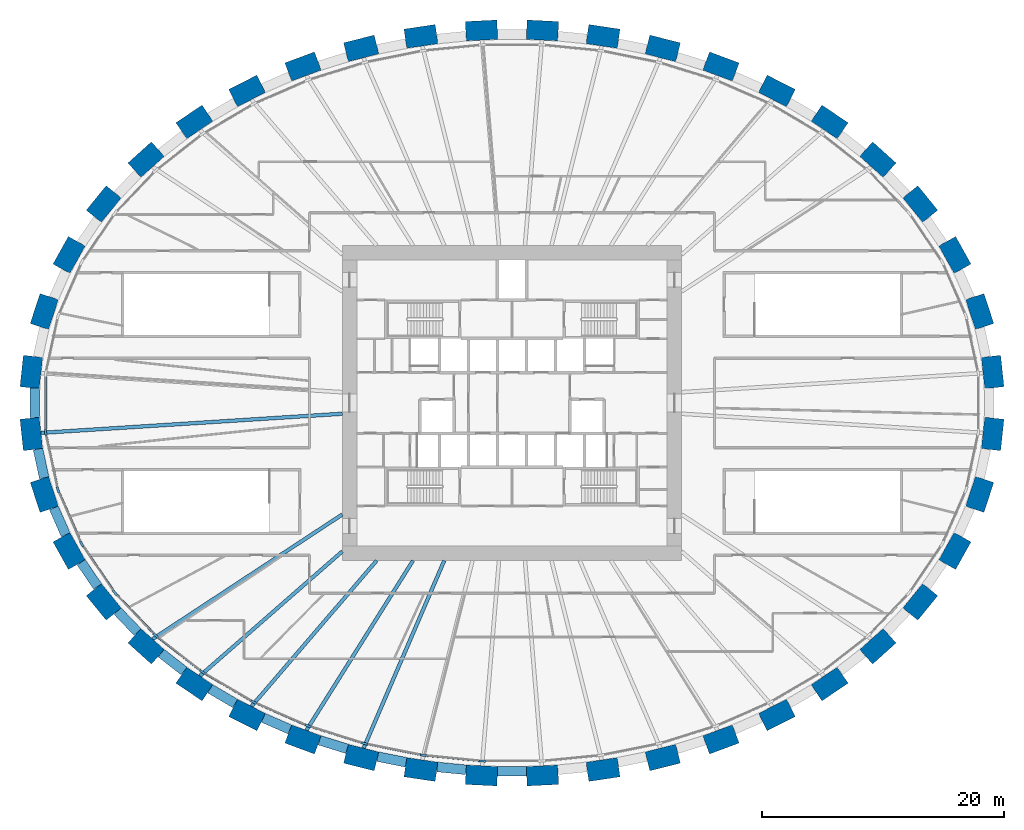
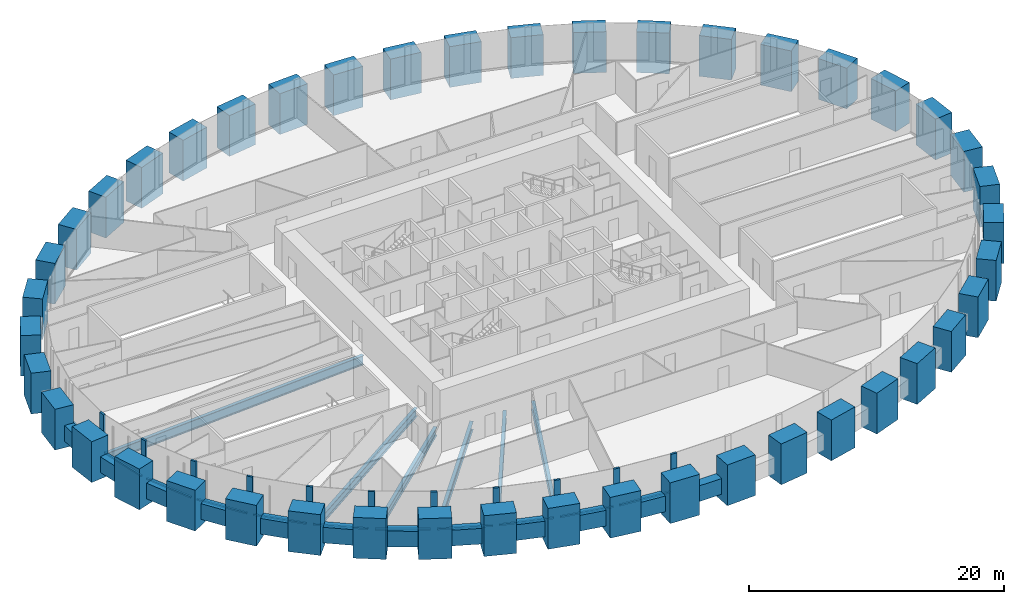
# One storey, part 1 of 12: 44 columns, 22 members, 18 beams, 1 element without a shape of its own.
"""IFC4 building model written with IfcOpenShell, lengths in metres."""

from ifc_helpers import new_model, si_unit, direction, frame, origin, origin_2d, place, context, subcontext, project, spatial, rectangle, i_section, extrude, source, transform, mapped, material, material_profile, profile_set, type_object, element, aggregate, save


model = new_model("IFC4")

# Units and contexts
model_context = context("Model", 3, precision=1e-05, world=origin(), true_north=direction((0.0, 1.0)))
body_context = subcontext(model_context, "Body", "Model", "MODEL_VIEW")
ifc_project = project(units=[si_unit("LENGTHUNIT", "METRE"), si_unit("AREAUNIT", "SQUARE_METRE"), si_unit("VOLUMEUNIT", "CUBIC_METRE"), si_unit("PLANEANGLEUNIT", "RADIAN"), si_unit("MASSUNIT", "GRAM", prefix="KILO")], contexts=[model_context])

# Site, building, storey
site_placement = place(None, origin())
site = spatial("IfcSite", under=ifc_project, at=site_placement, CompositionType="ELEMENT")
building_placement = place(site_placement, origin())
building = spatial("IfcBuilding", under=site, at=building_placement, Name="Embergate Tower", CompositionType="ELEMENT")
storey_placement = place(building_placement, frame((0.0, 0.0, 38.0)))
storey = spatial("IfcBuildingStorey", under=building, at=storey_placement, Name="L05", CompositionType="ELEMENT", Elevation=38.0)

# Columns
ifc_material_1 = material(Name="Concrete C70", Category="concrete")
ifc_material_profile_1 = material_profile(ifc_material_1, rectangle(XDim=1.60009765625, YDim=2.60009765625, at=origin_2d()), Name="RC 1600x2600")
ifc_profile_set_1 = profile_set([ifc_material_profile_1], Name="Concrete C70")
column_type = type_object("IfcColumnType", Name="Ring column RC 1600x2600 C70", PredefinedType="COLUMN", material=ifc_profile_set_1)
shared_shape_1 = source(origin(), body_context, "Body", "SweptSolid", [
    extrude(rectangle(XDim=1.60009765625, YDim=2.60009765625, at=origin_2d()), origin(), (0.0, 0.0, 1.0), 3.89990234375),
])
for number, where, z_axis, x_axis, name in (
    (1, (39.653076171875, 2.553955078125, -1.39990234375), (0.0, 0.0, 1.0), (0.99428589498, 0.106749983816, 0.0), "COL-L05-00"),
    (2, (38.580078125, 7.54296875, -1.39990234375), (0.0, 0.0, 1.0), (0.950754033697, 0.309946394413, 0.0), "COL-L05-01"),
    (3, (36.533935546875, 12.20703125, -1.39990234375), (0.0, 0.0, 1.0), (0.873491969053, 0.486838556403, 0.0), "COL-L05-02"),
    (4, (33.677978515625, 16.407958984375, -1.39990234375), (0.0, 0.0, 1.0), (0.775914301615, 0.630838328377, 0.0), "COL-L05-03"),
    (5, (30.18310546875, 20.072998046875, -1.39990234375), (0.0, 0.0, 1.0), (0.669208424634, 0.74307475021, 0.0), "COL-L05-04"),
    (6, (26.199951171875, 23.181884765625, -1.39990234375), (0.0, 0.0, 1.0), (0.560393279442, 0.828226643109, 0.0), "COL-L05-05"),
    (7, (21.85302734375, 25.738037109375, -1.39990234375), (0.0, 0.0, 1.0), (0.452994952881, 0.891513080478, 0.0), "COL-L05-06"),
    (8, (17.239013671875, 27.756103515625, -1.39990234375), (0.0, 0.0, 1.0), (0.348343015724, 0.93736713373, 0.0), "COL-L05-07"),
    (9, (12.43798828125, 29.2509765625, -1.39990234375), (0.0, 0.0, 1.0), (0.246491603437, 0.969144926951, 0.0), "COL-L05-08"),
    (10, (7.510009765625, 30.239013671875, -1.39990234375), (0.0, 0.0, 1.0), (0.146929011949, 0.989147039346, 0.0), "COL-L05-09"),
    (11, (2.510986328125, 30.73095703125, -1.39990234375), (0.0, 0.0, 1.0), (0.048814904854, 0.998807841912, 0.0), "COL-L05-10"),
    (12, (-2.510986328125, 30.73095703125, -1.39990234375), (0.0, 0.0, 1.0), (-0.048814904854, 0.998807841912, 0.0), "COL-L05-11"),
    (13, (-7.510009765625, 30.239013671875, -1.39990234375), (0.0, 0.0, 1.0), (-0.146929011949, 0.989147039346, 0.0), "COL-L05-12"),
    (14, (-12.43798828125, 29.2509765625, -1.39990234375), (0.0, 0.0, 1.0), (-0.246491603437, 0.969144926951, 0.0), "COL-L05-13"),
    (15, (-17.239013671875, 27.756103515625, -1.39990234375), (0.0, 0.0, 1.0), (-0.348343015724, 0.93736713373, 0.0), "COL-L05-14"),
    (16, (-21.85302734375, 25.738037109375, -1.39990234375), (0.0, 0.0, 1.0), (-0.452994952881, 0.891513080478, 0.0), "COL-L05-15"),
    (17, (-26.199951171875, 23.181884765625, -1.39990234375), (0.0, 0.0, 1.0), (-0.560393279442, 0.828226643109, 0.0), "COL-L05-16"),
    (18, (-30.18310546875, 20.072998046875, -1.39990234375), (0.0, 0.0, 1.0), (-0.669208424634, 0.74307475021, 0.0), "COL-L05-17"),
    (19, (-33.677978515625, 16.407958984375, -1.39990234375), (0.0, 0.0, 1.0), (-0.775914301615, 0.630838328377, 0.0), "COL-L05-18"),
    (20, (-36.533935546875, 12.20703125, -1.39990234375), (0.0, 0.0, 1.0), (-0.873491969053, 0.486838556403, 0.0), "COL-L05-19"),
    (21, (-38.580078125, 7.54296875, -1.39990234375), (0.0, 0.0, 1.0), (-0.950754033697, 0.309946394413, 0.0), "COL-L05-20"),
    (22, (-39.653076171875, 2.553955078125, -1.39990234375), (0.0, 0.0, 1.0), (-0.99428589498, 0.106749983816, 0.0), "COL-L05-21"),
    (23, (-39.653076171875, -2.553955078125, -1.39990234375), (0.0, 0.0, 1.0), (-0.99428589498, -0.106749983816, 0.0), "COL-L05-22"),
    (24, (-38.580078125, -7.54296875, -1.39990234375), (0.0, 0.0, 1.0), (-0.950754033697, -0.309946394413, 0.0), "COL-L05-23"),
    (25, (-36.533935546875, -12.20703125, -1.39990234375), (0.0, 0.0, 1.0), (-0.873491969053, -0.486838556403, 0.0), "COL-L05-24"),
    (26, (-33.677978515625, -16.407958984375, -1.39990234375), (0.0, 0.0, 1.0), (-0.775914301615, -0.630838328377, 0.0), "COL-L05-25"),
    (27, (-30.18310546875, -20.072998046875, -1.39990234375), (0.0, 0.0, 1.0), (-0.669208424634, -0.74307475021, 0.0), "COL-L05-26"),
    (28, (-26.199951171875, -23.181884765625, -1.39990234375), (0.0, 0.0, 1.0), (-0.560393279442, -0.828226643109, 0.0), "COL-L05-27"),
    (29, (-21.85302734375, -25.738037109375, -1.39990234375), (0.0, 0.0, 1.0), (-0.452994952881, -0.891513080478, 0.0), "COL-L05-28"),
    (30, (-17.239013671875, -27.756103515625, -1.39990234375), (0.0, 0.0, 1.0), (-0.348343015724, -0.93736713373, 0.0), "COL-L05-29"),
    (31, (-12.43798828125, -29.2509765625, -1.39990234375), (0.0, 0.0, 1.0), (-0.246491603437, -0.969144926951, 0.0), "COL-L05-30"),
    (32, (-7.510009765625, -30.239013671875, -1.39990234375), (0.0, 0.0, 1.0), (-0.146929011949, -0.989147039346, 0.0), "COL-L05-31"),
    (33, (-2.510986328125, -30.73095703125, -1.39990234375), (0.0, 0.0, 1.0), (-0.048814904854, -0.998807841912, 0.0), "COL-L05-32"),
    (34, (2.510986328125, -30.73095703125, -1.39990234375), (0.0, 0.0, 1.0), (0.048814904854, -0.998807841912, 0.0), "COL-L05-33"),
    (35, (7.510009765625, -30.239013671875, -1.39990234375), (0.0, 0.0, 1.0), (0.146929011949, -0.989147039346, 0.0), "COL-L05-34"),
    (36, (12.43798828125, -29.2509765625, -1.39990234375), (0.0, 0.0, 1.0), (0.246491603437, -0.969144926951, 0.0), "COL-L05-35"),
    (37, (17.239013671875, -27.756103515625, -1.39990234375), (0.0, 0.0, 1.0), (0.348343015724, -0.93736713373, 0.0), "COL-L05-36"),
    (38, (21.85302734375, -25.738037109375, -1.39990234375), (0.0, 0.0, 1.0), (0.452994952881, -0.891513080478, 0.0), "COL-L05-37"),
    (39, (26.199951171875, -23.181884765625, -1.39990234375), (0.0, 0.0, 1.0), (0.560393279442, -0.828226643109, 0.0), "COL-L05-38"),
    (40, (30.18310546875, -20.072998046875, -1.39990234375), (0.0, 0.0, 1.0), (0.669208424634, -0.74307475021, 0.0), "COL-L05-39"),
    (41, (33.677978515625, -16.407958984375, -1.39990234375), (0.0, 0.0, 1.0), (0.775914301615, -0.630838328377, 0.0), "COL-L05-40"),
    (42, (36.533935546875, -12.20703125, -1.39990234375), (0.0, 0.0, 1.0), (0.873491969053, -0.486838556403, 0.0), "COL-L05-41"),
    (43, (38.580078125, -7.54296875, -1.39990234375), (0.0, 0.0, 1.0), (0.950754033697, -0.309946394413, 0.0), "COL-L05-42"),
    (44, (39.653076171875, -2.553955078125, -1.39990234375), (0.0, 0.0, 1.0), (0.99428589498, -0.106749983816, 0.0), "COL-L05-43"),
):
    element("IfcColumn", number, at=place(storey_placement, frame(where, z_axis=z_axis, x_axis=x_axis)), inside=storey, type_object=column_type, Name=name, PredefinedType="COLUMN", context=body_context, shape_type="MappedRepresentation", body=[
        mapped(shared_shape_1, transform((0.0, 0.0, 0.0))),
    ])

# Beams
ifc_material_profile_2 = material_profile(ifc_material_1, rectangle(XDim=0.800048828125, YDim=1.5, at=origin_2d()), Name="RC 800x1500")
ifc_profile_set_2 = profile_set([ifc_material_profile_2], Name="Concrete C70")
beam_type_1 = type_object("IfcBeamType", Name="Spandrel beam RC 800x1500 C70", PredefinedType="BEAM", material=ifc_profile_set_2)
shared_shape_2 = source(origin(), body_context, "Body", "SweptSolid", [
    extrude(rectangle(XDim=0.800048828125, YDim=1.5, at=origin_2d()), origin(), (0.0, 0.0, 1.0), 2.431396484375),
])
beam_1_placement = place(storey_placement, frame((-39.10302734375, -3.802001953125, 0.0), z_axis=(0.210557552213, -0.977581463207, 0.0), x_axis=(0.977581463207, 0.210557552213, 0.0)))
element("IfcBeam", 45, at=beam_1_placement, inside=storey, type_object=beam_type_1, Name="SPN-L05-22", PredefinedType="BEAM", context=body_context, shape_type="MappedRepresentation", body=[
    mapped(shared_shape_2, transform((0.0, 0.0, 0.0))),
])
shared_shape_3 = source(origin(), body_context, "Body", "SweptSolid", [
    extrude(rectangle(XDim=0.800048828125, YDim=1.5, at=origin_2d()), origin(), (0.0, 0.0, 1.0), 2.42724609375),
])
beam_2_placement = place(storey_placement, frame((-37.791015625, -8.653076171875, 0.0), z_axis=(0.401710329843, -0.915766788488, 0.0), x_axis=(0.915766788488, 0.401710329843, 0.0)))
element("IfcBeam", 46, at=beam_2_placement, inside=storey, type_object=beam_type_1, Name="SPN-L05-23", PredefinedType="BEAM", context=body_context, shape_type="MappedRepresentation", body=[
    mapped(shared_shape_3, transform((0.0, 0.0, 0.0))),
])
shared_shape_4 = source(origin(), body_context, "Body", "SweptSolid", [
    extrude(rectangle(XDim=0.800048828125, YDim=1.5, at=origin_2d()), origin(), (0.0, 0.0, 1.0), 2.418701171875),
])
beam_3_placement = place(storey_placement, frame((-35.5400390625, -13.14111328125, 0.0), z_axis=(0.562340391575, -0.82690584954, 0.0), x_axis=(0.82690584954, 0.562340391575, 0.0)))
element("IfcBeam", 47, at=beam_3_placement, inside=storey, type_object=beam_type_1, Name="SPN-L05-24", PredefinedType="BEAM", context=body_context, shape_type="MappedRepresentation", body=[
    mapped(shared_shape_4, transform((0.0, 0.0, 0.0))),
])
shared_shape_5 = source(origin(), body_context, "Body", "SweptSolid", [
    extrude(rectangle(XDim=0.800048828125, YDim=1.5, at=origin_2d()), origin(), (0.0, 0.0, 1.0), 2.410400390625),
])
beam_4_placement = place(storey_placement, frame((-32.5458984375, -17.1630859375, 0.0), z_axis=(0.68988529803, -0.723918694027, 0.0), x_axis=(0.723918694027, 0.68988529803, 0.0)))
element("IfcBeam", 48, at=beam_4_placement, inside=storey, type_object=beam_type_1, Name="SPN-L05-25", PredefinedType="BEAM", context=body_context, shape_type="MappedRepresentation", body=[
    mapped(shared_shape_5, transform((0.0, 0.0, 0.0))),
])
shared_shape_6 = source(origin(), body_context, "Body", "SweptSolid", [
    extrude(rectangle(XDim=0.800048828125, YDim=1.5, at=origin_2d()), origin(), (0.0, 0.0, 1.0), 2.40234375),
])
beam_5_placement = place(storey_placement, frame((-28.94189453125, -20.637939453125, 0.0), z_axis=(0.788327805862, -0.615255451423, 0.0), x_axis=(0.615255451423, 0.788327805862, 0.0)))
element("IfcBeam", 49, at=beam_5_placement, inside=storey, type_object=beam_type_1, Name="SPN-L05-26", PredefinedType="BEAM", context=body_context, shape_type="MappedRepresentation", body=[
    mapped(shared_shape_6, transform((0.0, 0.0, 0.0))),
])
shared_shape_7 = source(origin(), body_context, "Body", "SweptSolid", [
    extrude(rectangle(XDim=0.800048828125, YDim=1.5, at=origin_2d()), origin(), (0.0, 0.0, 1.0), 2.397705078125),
])
beam_6_placement = place(storey_placement, frame((-24.89794921875, -23.577880859375, 0.0), z_axis=(0.86206768602, -0.506793157728, 0.0), x_axis=(0.506793157728, 0.86206768602, 0.0)))
element("IfcBeam", 50, at=beam_6_placement, inside=storey, type_object=beam_type_1, Name="SPN-L05-27", PredefinedType="BEAM", context=body_context, shape_type="MappedRepresentation", body=[
    mapped(shared_shape_7, transform((0.0, 0.0, 0.0))),
])
shared_shape_8 = source(origin(), body_context, "Body", "SweptSolid", [
    extrude(rectangle(XDim=0.800048828125, YDim=1.5, at=origin_2d()), origin(), (0.0, 0.0, 1.0), 2.394775390625),
])
beam_7_placement = place(storey_placement, frame((-20.514892578125, -25.97509765625, 0.0), z_axis=(0.916133934694, -0.40087231596, 0.0), x_axis=(0.40087231596, 0.916133934694, 0.0)))
element("IfcBeam", 51, at=beam_7_placement, inside=storey, type_object=beam_type_1, Name="SPN-L05-28", PredefinedType="BEAM", context=body_context, shape_type="MappedRepresentation", body=[
    mapped(shared_shape_8, transform((0.0, 0.0, 0.0))),
])
shared_shape_9 = source(origin(), body_context, "Body", "SweptSolid", [
    extrude(rectangle(XDim=0.800048828125, YDim=1.5, at=origin_2d()), origin(), (0.0, 0.0, 1.0), 2.388916015625),
])
beam_8_placement = place(storey_placement, frame((-15.8779296875, -27.824951171875, 0.0), z_axis=(0.954819405725, -0.297186645815, 0.0), x_axis=(0.297186645815, 0.954819405725, 0.0)))
element("IfcBeam", 52, at=beam_8_placement, inside=storey, type_object=beam_type_1, Name="SPN-L05-29", PredefinedType="BEAM", context=body_context, shape_type="MappedRepresentation", body=[
    mapped(shared_shape_9, transform((0.0, 0.0, 0.0))),
])
shared_shape_10 = source(origin(), body_context, "Body", "SweptSolid", [
    extrude(rectangle(XDim=0.800048828125, YDim=1.5, at=origin_2d()), origin(), (0.0, 0.0, 1.0), 2.38818359375),
])
beam_9_placement = place(storey_placement, frame((-11.077880859375, -29.177978515625, 0.0), z_axis=(0.980529530549, -0.196371687676, 0.0), x_axis=(0.196371687676, 0.980529530549, 0.0)))
element("IfcBeam", 53, at=beam_9_placement, inside=storey, type_object=beam_type_1, Name="SPN-L05-30", PredefinedType="BEAM", context=body_context, shape_type="MappedRepresentation", body=[
    mapped(shared_shape_10, transform((0.0, 0.0, 0.0))),
])
shared_shape_11 = source(origin(), body_context, "Body", "SweptSolid", [
    extrude(rectangle(XDim=0.800048828125, YDim=1.5, at=origin_2d()), origin(), (0.0, 0.0, 1.0), 2.386474609375),
])
beam_10_placement = place(storey_placement, frame((-6.1650390625, -30.031005859375, 0.0), z_axis=(0.995225797629, -0.097599240434, 0.0), x_axis=(0.097599240434, 0.995225797629, 0.0)))
element("IfcBeam", 54, at=beam_10_placement, inside=storey, type_object=beam_type_1, Name="SPN-L05-31", PredefinedType="BEAM", context=body_context, shape_type="MappedRepresentation", body=[
    mapped(shared_shape_11, transform((0.0, 0.0, 0.0))),
])
shared_shape_12 = source(origin(), body_context, "Body", "SweptSolid", [
    extrude(rectangle(XDim=0.800048828125, YDim=1.5, at=origin_2d()), origin(), (0.0, 0.0, 1.0), 2.38623046875),
])
beam_11_placement = place(storey_placement, frame((-1.193115234375, -30.39208984375, 0.0), z_axis=(1.0, 0.0, 0.0), x_axis=(0.0, 1.0, 0.0)))
element("IfcBeam", 55, at=beam_11_placement, inside=storey, type_object=beam_type_1, Name="SPN-L05-32", PredefinedType="BEAM", context=body_context, shape_type="MappedRepresentation", body=[
    mapped(shared_shape_12, transform((0.0, 0.0, 0.0))),
])
shared_shape_13 = source(origin(), body_context, "Body", "SweptSolid", [
    extrude(rectangle(XDim=0.800048828125, YDim=1.5, at=origin_2d()), origin(), (0.0, 0.0, 1.0), 2.43408203125),
])
beam_12_placement = place(storey_placement, frame((-39.3779296875, 1.217041015625, 0.0), z_axis=(0.0, -1.0, 0.0), x_axis=(1.0, 0.0, 0.0)))
element("IfcBeam", 56, at=beam_12_placement, inside=storey, type_object=beam_type_1, Name="SPN-L05-21", PredefinedType="BEAM", context=body_context, shape_type="MappedRepresentation", body=[
    mapped(shared_shape_13, transform((0.0, 0.0, 0.0))),
])
ifc_material_2 = material(Name="Steel Q355B", Category="steel")
ifc_material_profile_3 = material_profile(ifc_material_2, i_section(OverallWidth=0.300048828125, OverallDepth=0.89990234375, WebThickness=0.01611328125, FlangeThickness=0.028076171875, FilletRadius=0.028076171875, at=origin_2d()), Name="HN 900x300x16x28")
ifc_profile_set_3 = profile_set([ifc_material_profile_3], Name="Steel Q355 grade B")
beam_type_2 = type_object("IfcBeamType", Name="Radial girder HN 900x300x16x28", PredefinedType="BEAM", material=ifc_profile_set_3)
shared_shape_14 = source(origin(), body_context, "Body", "SweptSolid", [
    extrude(i_section(OverallWidth=0.300048828125, OverallDepth=0.89990234375, WebThickness=0.01611328125, FlangeThickness=0.028076171875, FilletRadius=0.028076171875, at=origin_2d()), origin(), (0.0, 0.0, 1.0), 24.907958984375),
])
beam_13_placement = place(storey_placement, frame((-38.85791015625, -2.468994140625, -0.64990234375), z_axis=(0.997985884947, 0.063436373209, 0.0), x_axis=(-0.063436373209, 0.997985884947, 0.0)))
element("IfcBeam", 57, at=beam_13_placement, inside=storey, type_object=beam_type_2, Name="GIR-L05-22", PredefinedType="BEAM", context=body_context, shape_type="MappedRepresentation", body=[
    mapped(shared_shape_14, transform((0.0, 0.0, 0.0))),
])
ifc_material_profile_4 = material_profile(ifc_material_2, i_section(OverallWidth=0.300048828125, OverallDepth=0.800048828125, WebThickness=0.013916015625, FlangeThickness=0.02587890625, FilletRadius=0.028076171875, at=origin_2d()), Name="HN 800x300x14x26")
ifc_profile_set_4 = profile_set([ifc_material_profile_4], Name="Steel Q355 grade B")
beam_type_3 = type_object("IfcBeamType", Name="Radial girder HN 800x300x14x26", PredefinedType="BEAM", material=ifc_profile_set_4)
shared_shape_15 = source(origin(), body_context, "Body", "SweptSolid", [
    extrude(i_section(OverallWidth=0.300048828125, OverallDepth=0.800048828125, WebThickness=0.013916015625, FlangeThickness=0.02587890625, FilletRadius=0.028076171875, at=origin_2d()), origin(), (0.0, 0.0, 1.0), 18.72314453125),
])
beam_14_placement = place(storey_placement, frame((-29.64794921875, -19.47900390625, -0.60009765625), z_axis=(0.835752839517, 0.549105810605, 0.0), x_axis=(-0.549105810605, 0.835752839517, 0.0)))
element("IfcBeam", 58, at=beam_14_placement, inside=storey, type_object=beam_type_3, Name="GIR-L05-26", PredefinedType="BEAM", context=body_context, shape_type="MappedRepresentation", body=[
    mapped(shared_shape_15, transform((0.0, 0.0, 0.0))),
])
shared_shape_16 = source(origin(), body_context, "Body", "SweptSolid", [
    extrude(i_section(OverallWidth=0.300048828125, OverallDepth=0.800048828125, WebThickness=0.013916015625, FlangeThickness=0.02587890625, FilletRadius=0.028076171875, at=origin_2d()), origin(), (0.0, 0.0, 1.0), 15.611083984375),
])
beam_15_placement = place(storey_placement, frame((-25.751953125, -22.51904296875, -0.60009765625), z_axis=(0.752793660755, 0.658256564211, 0.0), x_axis=(-0.658256564211, 0.752793660755, 0.0)))
element("IfcBeam", 59, at=beam_15_placement, inside=storey, type_object=beam_type_3, Name="GIR-L05-27", PredefinedType="BEAM", context=body_context, shape_type="MappedRepresentation", body=[
    mapped(shared_shape_16, transform((0.0, 0.0, 0.0))),
])
shared_shape_17 = source(origin(), body_context, "Body", "SweptSolid", [
    extrude(i_section(OverallWidth=0.300048828125, OverallDepth=0.800048828125, WebThickness=0.013916015625, FlangeThickness=0.02587890625, FilletRadius=0.028076171875, at=origin_2d()), origin(), (0.0, 0.0, 1.0), 15.8505859375),
])
beam_16_placement = place(storey_placement, frame((-21.490966796875, -25.02490234375, -0.60009765625), z_axis=(0.651512825192, 0.758637620086, 0.0), x_axis=(-0.758637620086, 0.651512825192, 0.0)))
element("IfcBeam", 60, at=beam_16_placement, inside=storey, type_object=beam_type_3, Name="GIR-L05-28", PredefinedType="BEAM", context=body_context, shape_type="MappedRepresentation", body=[
    mapped(shared_shape_17, transform((0.0, 0.0, 0.0))),
])
shared_shape_18 = source(origin(), body_context, "Body", "SweptSolid", [
    extrude(i_section(OverallWidth=0.300048828125, OverallDepth=0.800048828125, WebThickness=0.013916015625, FlangeThickness=0.02587890625, FilletRadius=0.028076171875, at=origin_2d()), origin(), (0.0, 0.0, 1.0), 16.5390625),
])
beam_17_placement = place(storey_placement, frame((-16.9599609375, -27.006103515625, -0.60009765625), z_axis=(0.53182746927, 0.846852728005, 0.0), x_axis=(-0.846852728005, 0.53182746927, 0.0)))
element("IfcBeam", 61, at=beam_17_placement, inside=storey, type_object=beam_type_3, Name="GIR-L05-29", PredefinedType="BEAM", context=body_context, shape_type="MappedRepresentation", body=[
    mapped(shared_shape_18, transform((0.0, 0.0, 0.0))),
])
shared_shape_19 = source(origin(), body_context, "Body", "SweptSolid", [
    extrude(i_section(OverallWidth=0.300048828125, OverallDepth=0.800048828125, WebThickness=0.013916015625, FlangeThickness=0.02587890625, FilletRadius=0.028076171875, at=origin_2d()), origin(), (0.0, 0.0, 1.0), 16.845458984375),
])
beam_18_placement = place(storey_placement, frame((-12.240966796875, -28.47607421875, -0.60009765625), z_axis=(0.394945799239, 0.91870442236, 0.0), x_axis=(-0.91870442236, 0.394945799239, 0.0)))
element("IfcBeam", 62, at=beam_18_placement, inside=storey, type_object=beam_type_3, Name="GIR-L05-30", PredefinedType="BEAM", context=body_context, shape_type="MappedRepresentation", body=[
    mapped(shared_shape_19, transform((0.0, 0.0, 0.0))),
])

# Curtain wall, members
ifc_material_3 = material(Name="Aluminium and glass", Category="aluminium")
curtain_wall_type = type_object("IfcCurtainWallType", Name="Recessed office glazing", PredefinedType="NOTDEFINED", material=ifc_material_3)
curtain_wall_placement = place(storey_placement, origin())
curtain_wall = element("IfcCurtainWall", 63, at=curtain_wall_placement, inside=storey, type_object=curtain_wall_type, Name="Recessed office glazing ring", ObjectType="RECESSED OFFICE GLAZING", PredefinedType="USERDEFINED")
ifc_material_4 = material(Name="Aluminium, thermally broken", Category="aluminium")
ifc_material_profile_5 = material_profile(ifc_material_4, rectangle(XDim=0.179931640625, YDim=0.52001953125, at=origin_2d()), Name="AL 520x180")
ifc_profile_set_5 = profile_set([ifc_material_profile_5], Name="Aluminium, thermally broken")
member_type_1 = type_object("IfcMemberType", Name="Office mullion", PredefinedType="MULLION", material=ifc_profile_set_5)
shared_shape_20 = source(origin(), body_context, "Body", "SweptSolid", [
    extrude(rectangle(XDim=0.179931640625, YDim=0.52001953125, at=origin_2d()), origin(), (0.0, 0.0, 1.0), 3.699951171875),
])
member_1_placement = place(storey_placement, frame((-38.469970703125, -2.4267578125, 0.0), z_axis=(0.0, 0.0, 1.0), x_axis=(0.994384954736, 0.105823257345, 0.0)))
member_1 = element("IfcMember", 64, at=member_1_placement, type_object=member_type_1, Name="CW mullion 23", PredefinedType="MULLION", context=body_context, shape_type="MappedRepresentation", body=[
    mapped(shared_shape_20, transform((0.0, 0.0, 0.0))),
])
member_2_placement = place(storey_placement, frame((-37.4482421875, -7.17431640625, 0.0), z_axis=(0.0, 0.0, 1.0), x_axis=(0.951498871907, 0.307652233471, 0.0)))
member_2 = element("IfcMember", 65, at=member_2_placement, type_object=member_type_1, Name="CW mullion 24", PredefinedType="MULLION", context=body_context, shape_type="MappedRepresentation", body=[
    mapped(shared_shape_20, transform((0.0, 0.0, 0.0))),
])
member_3_placement = place(storey_placement, frame((-35.494873046875, -11.628173828125, 0.0), z_axis=(0.0, 0.0, 1.0), x_axis=(0.875002740779, 0.484117964581, 0.0)))
member_3 = element("IfcMember", 66, at=member_3_placement, type_object=member_type_1, Name="CW mullion 25", PredefinedType="MULLION", context=body_context, shape_type="MappedRepresentation", body=[
    mapped(shared_shape_20, transform((0.0, 0.0, 0.0))),
])
member_4_placement = place(storey_placement, frame((-32.7548828125, -15.656982421875, 0.0), z_axis=(0.0, 0.0, 1.0), x_axis=(0.777873661157, 0.62842069291, 0.0)))
member_4 = element("IfcMember", 67, at=member_4_placement, type_object=member_type_1, Name="CW mullion 26", PredefinedType="MULLION", context=body_context, shape_type="MappedRepresentation", body=[
    mapped(shared_shape_20, transform((0.0, 0.0, 0.0))),
])
member_5_placement = place(storey_placement, frame((-29.386474609375, -19.189208984375, 0.0), z_axis=(0.0, 0.0, 1.0), x_axis=(0.671226533956, 0.741252278319, 0.0)))
member_5 = element("IfcMember", 68, at=member_5_placement, type_object=member_type_1, Name="CW mullion 27", PredefinedType="MULLION", context=body_context, shape_type="MappedRepresentation", body=[
    mapped(shared_shape_20, transform((0.0, 0.0, 0.0))),
])
member_6_placement = place(storey_placement, frame((-25.53271484375, -22.19677734375, 0.0), z_axis=(0.0, 0.0, 1.0), x_axis=(0.562216175174, 0.826990309721, 0.0)))
member_6 = element("IfcMember", 69, at=member_6_placement, type_object=member_type_1, Name="CW mullion 28", PredefinedType="MULLION", context=body_context, shape_type="MappedRepresentation", body=[
    mapped(shared_shape_20, transform((0.0, 0.0, 0.0))),
])
member_7_placement = place(storey_placement, frame((-21.3134765625, -24.677490234375, 0.0), z_axis=(0.0, 0.0, 1.0), x_axis=(0.454509825889, 0.890741723605, 0.0)))
member_7 = element("IfcMember", 70, at=member_7_placement, type_object=member_type_1, Name="CW mullion 29", PredefinedType="MULLION", context=body_context, shape_type="MappedRepresentation", body=[
    mapped(shared_shape_20, transform((0.0, 0.0, 0.0))),
])
member_8_placement = place(storey_placement, frame((-16.824951171875, -26.64013671875, 0.0), z_axis=(0.0, 0.0, 1.0), x_axis=(0.349501047589, 0.936935973124, 0.0)))
member_8 = element("IfcMember", 71, at=member_8_placement, type_object=member_type_1, Name="CW mullion 30", PredefinedType="MULLION", context=body_context, shape_type="MappedRepresentation", body=[
    mapped(shared_shape_20, transform((0.0, 0.0, 0.0))),
])
member_9_placement = place(storey_placement, frame((-12.144287109375, -28.097900390625, 0.0), z_axis=(0.0, 0.0, 1.0), x_axis=(0.247310190257, 0.968936360034, 0.0)))
member_9 = element("IfcMember", 72, at=member_9_placement, type_object=member_type_1, Name="CW mullion 31", PredefinedType="MULLION", context=body_context, shape_type="MappedRepresentation", body=[
    mapped(shared_shape_20, transform((0.0, 0.0, 0.0))),
])
member_10_placement = place(storey_placement, frame((-7.33544921875, -29.062255859375, 0.0), z_axis=(0.0, 0.0, 1.0), x_axis=(0.147410656556, 0.989075375456, 0.0)))
member_10 = element("IfcMember", 73, at=member_10_placement, type_object=member_type_1, Name="CW mullion 32", PredefinedType="MULLION", context=body_context, shape_type="MappedRepresentation", body=[
    mapped(shared_shape_20, transform((0.0, 0.0, 0.0))),
])
member_11_placement = place(storey_placement, frame((-2.453125, -29.5419921875, 0.0), z_axis=(0.0, 0.0, 1.0), x_axis=(0.048971796621, 0.998800161762, 0.0)))
member_11 = element("IfcMember", 74, at=member_11_placement, type_object=member_type_1, Name="CW mullion 33", PredefinedType="MULLION", context=body_context, shape_type="MappedRepresentation", body=[
    mapped(shared_shape_20, transform((0.0, 0.0, 0.0))),
])
ifc_material_profile_6 = material_profile(ifc_material_4, rectangle(XDim=0.179931640625, YDim=0.14990234375, at=origin_2d()), Name="AL 150x180")
ifc_profile_set_6 = profile_set([ifc_material_profile_6], Name="Aluminium, thermally broken")
member_type_2 = type_object("IfcMemberType", Name="Office sill transom", PredefinedType="USERDEFINED", material=ifc_profile_set_6)
shared_shape_21 = source(origin(), body_context, "Body", "SweptSolid", [
    extrude(rectangle(XDim=0.179931640625, YDim=0.14990234375, at=origin_2d()), origin(), (0.0, 0.0, 1.0), 4.33642578125),
])
member_12_placement = place(storey_placement, frame((-38.415283203125, -2.680908203125, 0.074951171875), z_axis=(0.210397968538, -0.977615821699, 0.0), x_axis=(0.977615821699, 0.210397968538, 0.0)))
member_12 = element("IfcMember", 75, at=member_12_placement, type_object=member_type_2, Name="CW transom 23.1", ObjectType="TRANSOM", PredefinedType="USERDEFINED", context=body_context, shape_type="MappedRepresentation", body=[
    mapped(shared_shape_21, transform((0.0, 0.0, 0.0))),
])
shared_shape_22 = source(origin(), body_context, "Body", "SweptSolid", [
    extrude(rectangle(XDim=0.179931640625, YDim=0.14990234375, at=origin_2d()), origin(), (0.0, 0.0, 1.0), 4.34326171875),
])
member_13_placement = place(storey_placement, frame((-37.34375, -7.412353515625, 0.074951171875), z_axis=(0.401632547459, -0.915800904576, 0.0), x_axis=(0.915800904576, 0.401632547459, 0.0)))
member_13 = element("IfcMember", 76, at=member_13_placement, type_object=member_type_2, Name="CW transom 24.1", ObjectType="TRANSOM", PredefinedType="USERDEFINED", context=body_context, shape_type="MappedRepresentation", body=[
    mapped(shared_shape_22, transform((0.0, 0.0, 0.0))),
])
shared_shape_23 = source(origin(), body_context, "Body", "SweptSolid", [
    extrude(rectangle(XDim=0.179931640625, YDim=0.14990234375, at=origin_2d()), origin(), (0.0, 0.0, 1.0), 4.352294921875),
])
member_14_placement = place(storey_placement, frame((-35.3486328125, -11.843017578125, 0.074951171875), z_axis=(0.562352981855, -0.826897287333, 0.0), x_axis=(0.826897287333, 0.562352981855, 0.0)))
member_14 = element("IfcMember", 77, at=member_14_placement, type_object=member_type_2, Name="CW transom 25.1", ObjectType="TRANSOM", PredefinedType="USERDEFINED", context=body_context, shape_type="MappedRepresentation", body=[
    mapped(shared_shape_23, transform((0.0, 0.0, 0.0))),
])
shared_shape_24 = source(origin(), body_context, "Body", "SweptSolid", [
    extrude(rectangle(XDim=0.179931640625, YDim=0.14990234375, at=origin_2d()), origin(), (0.0, 0.0, 1.0), 4.361083984375),
])
member_15_placement = place(storey_placement, frame((-32.57568359375, -15.844970703125, 0.074951171875), z_axis=(0.690141477818, -0.723674471427, 0.0), x_axis=(0.723674471427, 0.690141477818, 0.0)))
member_15 = element("IfcMember", 78, at=member_15_placement, type_object=member_type_2, Name="CW transom 26.1", ObjectType="TRANSOM", PredefinedType="USERDEFINED", context=body_context, shape_type="MappedRepresentation", body=[
    mapped(shared_shape_24, transform((0.0, 0.0, 0.0))),
])
shared_shape_25 = source(origin(), body_context, "Body", "SweptSolid", [
    extrude(rectangle(XDim=0.179931640625, YDim=0.14990234375, at=origin_2d()), origin(), (0.0, 0.0, 1.0), 4.368408203125),
])
member_16_placement = place(storey_placement, frame((-29.181396484375, -19.34912109375, 0.074951171875), z_axis=(0.788309833008, -0.615278479375, 0.0), x_axis=(0.615278479375, 0.788309833008, 0.0)))
member_16 = element("IfcMember", 79, at=member_16_placement, type_object=member_type_2, Name="CW transom 27.1", ObjectType="TRANSOM", PredefinedType="USERDEFINED", context=body_context, shape_type="MappedRepresentation", body=[
    mapped(shared_shape_25, transform((0.0, 0.0, 0.0))),
])
shared_shape_26 = source(origin(), body_context, "Body", "SweptSolid", [
    extrude(rectangle(XDim=0.179931640625, YDim=0.14990234375, at=origin_2d()), origin(), (0.0, 0.0, 1.0), 4.37451171875),
])
member_17_placement = place(storey_placement, frame((-25.30859375, -22.32861328125, 0.074951171875), z_axis=(0.862053273507, -0.506817672971, 0.0), x_axis=(0.506817672971, 0.862053273507, 0.0)))
member_17 = element("IfcMember", 80, at=member_17_placement, type_object=member_type_2, Name="CW transom 28.1", ObjectType="TRANSOM", PredefinedType="USERDEFINED", context=body_context, shape_type="MappedRepresentation", body=[
    mapped(shared_shape_26, transform((0.0, 0.0, 0.0))),
])
shared_shape_27 = source(origin(), body_context, "Body", "SweptSolid", [
    extrude(rectangle(XDim=0.179931640625, YDim=0.14990234375, at=origin_2d()), origin(), (0.0, 0.0, 1.0), 4.37890625),
])
member_18_placement = place(storey_placement, frame((-21.0751953125, -24.781494140625, 0.074951171875), z_axis=(0.916236650028, -0.400637493434, 0.0), x_axis=(0.400637493434, 0.916236650028, 0.0)))
member_18 = element("IfcMember", 81, at=member_18_placement, type_object=member_type_2, Name="CW transom 29.1", ObjectType="TRANSOM", PredefinedType="USERDEFINED", context=body_context, shape_type="MappedRepresentation", body=[
    mapped(shared_shape_27, transform((0.0, 0.0, 0.0))),
])
shared_shape_28 = source(origin(), body_context, "Body", "SweptSolid", [
    extrude(rectangle(XDim=0.179931640625, YDim=0.14990234375, at=origin_2d()), origin(), (0.0, 0.0, 1.0), 4.38232421875),
])
member_19_placement = place(storey_placement, frame((-16.57666015625, -26.71728515625, 0.074951171875), z_axis=(0.954759100468, -0.297380328994, 0.0), x_axis=(0.297380328994, 0.954759100468, 0.0)))
member_19 = element("IfcMember", 82, at=member_19_placement, type_object=member_type_2, Name="CW transom 30.1", ObjectType="TRANSOM", PredefinedType="USERDEFINED", context=body_context, shape_type="MappedRepresentation", body=[
    mapped(shared_shape_28, transform((0.0, 0.0, 0.0))),
])
shared_shape_29 = source(origin(), body_context, "Body", "SweptSolid", [
    extrude(rectangle(XDim=0.179931640625, YDim=0.14990234375, at=origin_2d()), origin(), (0.0, 0.0, 1.0), 4.384765625),
])
member_20_placement = place(storey_placement, frame((-11.889404296875, -28.14892578125, 0.074951171875), z_axis=(0.980482039913, -0.196608670733, 0.0), x_axis=(0.196608670733, 0.980482039913, 0.0)))
member_20 = element("IfcMember", 83, at=member_20_placement, type_object=member_type_2, Name="CW transom 31.1", ObjectType="TRANSOM", PredefinedType="USERDEFINED", context=body_context, shape_type="MappedRepresentation", body=[
    mapped(shared_shape_29, transform((0.0, 0.0, 0.0))),
])
shared_shape_30 = source(origin(), body_context, "Body", "SweptSolid", [
    extrude(rectangle(XDim=0.179931640625, YDim=0.14990234375, at=origin_2d()), origin(), (0.0, 0.0, 1.0), 4.3857421875),
])
member_21_placement = place(storey_placement, frame((-7.07666015625, -29.087646484375, 0.074951171875), z_axis=(0.995205497416, -0.097806021868, 0.0), x_axis=(0.097806021868, 0.995205497416, 0.0)))
member_21 = element("IfcMember", 84, at=member_21_placement, type_object=member_type_2, Name="CW transom 32.1", ObjectType="TRANSOM", PredefinedType="USERDEFINED", context=body_context, shape_type="MappedRepresentation", body=[
    mapped(shared_shape_30, transform((0.0, 0.0, 0.0))),
])
shared_shape_31 = source(origin(), body_context, "Body", "SweptSolid", [
    extrude(rectangle(XDim=0.179931640625, YDim=0.14990234375, at=origin_2d()), origin(), (0.0, 0.0, 1.0), 4.33349609375),
])
member_22_placement = place(storey_placement, frame((-38.469970703125, 2.166748046875, 0.074951171875), z_axis=(0.0, -1.0, 0.0), x_axis=(1.0, 0.0, 0.0)))
member_22 = element("IfcMember", 85, at=member_22_placement, type_object=member_type_2, Name="CW transom 22.1", ObjectType="TRANSOM", PredefinedType="USERDEFINED", context=body_context, shape_type="MappedRepresentation", body=[
    mapped(shared_shape_31, transform((0.0, 0.0, 0.0))),
])
aggregate(curtain_wall, [member_1, member_2, member_3, member_4, member_5, member_6, member_7, member_8, member_9, member_10, member_11, member_22, member_12, member_13, member_14, member_15, member_16, member_17, member_18, member_19, member_20, member_21])

save(model, "model.ifc")
